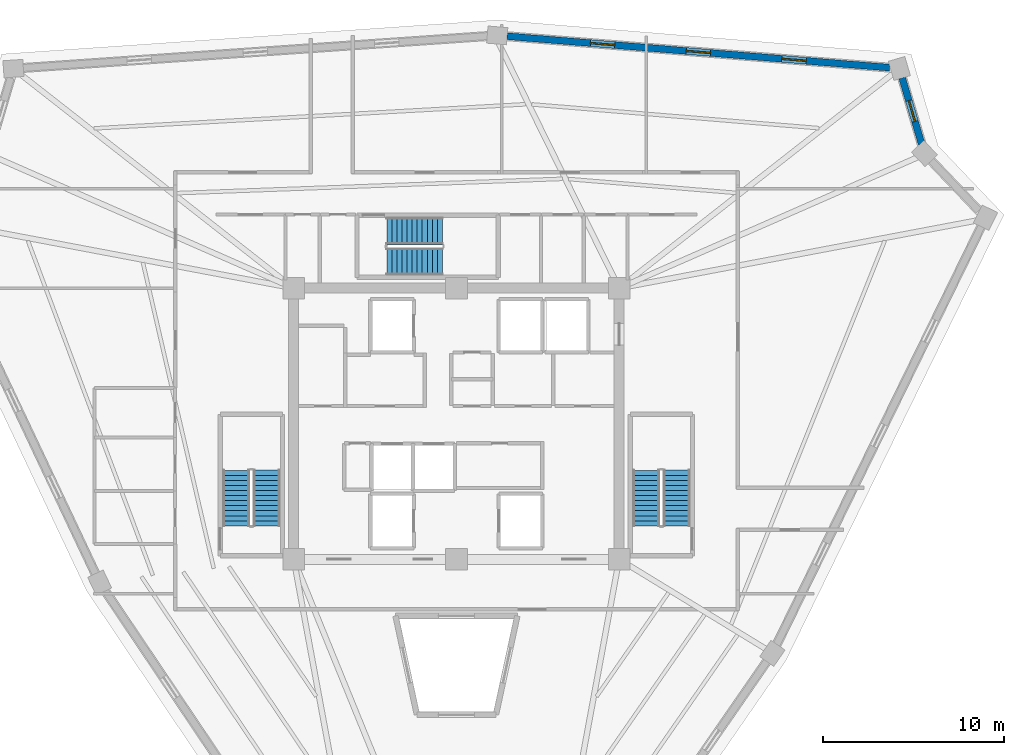
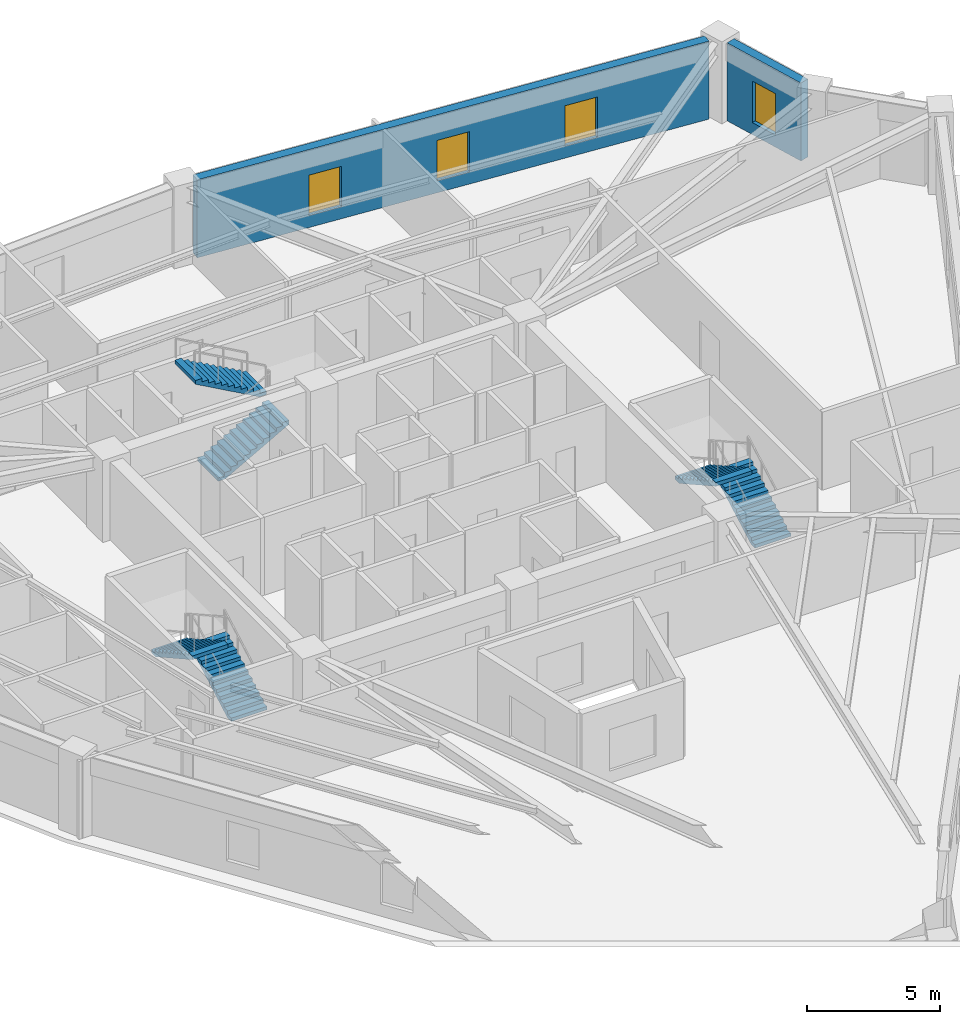
# One storey, part 7 of 8: 6 stair flights, 4 windows, 2 walls, 4 openings, 3 elements without a shape of their own.
"""IFC4 building model written with IfcOpenShell, lengths in metres."""

from ifc_helpers import new_model, si_unit, direction, frame, frame_2d, origin, place, context, subcontext, project, spatial, polyline, rectangle, outline, extrude, source, transform, mapped, material, layer, layer_set, type_object, element, fill, aggregate, save


model = new_model("IFC4")

# Units and contexts
model_context = context("Model", 3, precision=1e-05, world=origin(), true_north=direction((0.0, 1.0)))
body_context = subcontext(model_context, "Body", "Model", "MODEL_VIEW")
ifc_project = project(units=[si_unit("LENGTHUNIT", "METRE"), si_unit("AREAUNIT", "SQUARE_METRE"), si_unit("VOLUMEUNIT", "CUBIC_METRE"), si_unit("PLANEANGLEUNIT", "RADIAN"), si_unit("MASSUNIT", "GRAM", prefix="KILO")], contexts=[model_context])

# Site, building, storey
site_placement = place(None, origin())
site = spatial("IfcSite", under=ifc_project, at=site_placement, CompositionType="ELEMENT")
building_placement = place(site_placement, origin())
building = spatial("IfcBuilding", under=site, at=building_placement, Name="Liaohun Quay Tower", CompositionType="ELEMENT")
storey_placement = place(building_placement, frame((0.0, 0.0, 336.0)))
storey = spatial("IfcBuildingStorey", under=building, at=storey_placement, Name="L87", CompositionType="ELEMENT", Elevation=336.0)

# Wall, opening, window
ifc_material_1 = material(Name="Precast concrete C50 insulated sandwich", Category="concrete")
ifc_layer = layer(ifc_material_1, 0.3798828125, Name="Precast concrete C50 insulated sandwich", Category="concrete")
ifc_layer_set = layer_set([ifc_layer], Name="Precast concrete C50 insulated sandwich")
wall_type = type_object("IfcWallType", Name="WAL-EXT-Z34", PredefinedType="SOLIDWALL", material=ifc_layer_set)
wall_1_placement = place(storey_placement, frame((85.738037109375, 69.466064453125, 0.0), z_axis=(0.0, 0.0, 1.0), x_axis=(-0.282732695887, 0.959198739926, 0.0)))
wall_1 = element("IfcWall", 1, at=wall_1_placement, inside=storey, type_object=wall_type, Name="L87 Brutalist Precast Pier Wall 05", PredefinedType="SOLIDWALL", context=body_context, shape_type="SweptSolid", body=[
    extrude(rectangle(XDim=3.8271484375, YDim=0.3798828125, at=frame_2d((1.91357421875, 0.0))), origin(), (0.0, 0.0, 1.0), 3.570068359375),
])
shared_shape_1 = source(origin(), body_context, "Body", "SweptSolid", [
    extrude(rectangle(XDim=1.199951171875, YDim=1.89990234375, at=frame_2d((0.60009765625, 0.949951171875))), frame((0.0, 0.199951171875, 0.0), z_axis=(0.0, -1.0, 0.0), x_axis=(1.0, 0.0, 0.0)), (0.0, 0.0, 1.0), 0.39990234375),
])
opening_1_placement = place(wall_1_placement, frame((1.31396484375, 0.0, 0.550048828125)))
opening_1 = element("IfcOpeningElement", 2, at=opening_1_placement, cuts=wall_1, Name="Opening W05", PredefinedType="OPENING", context=body_context, shape_type="MappedRepresentation", body=[
    mapped(shared_shape_1, transform((0.0, 0.0, 0.0), x_axis=(1.0, 0.0, 0.0), y_axis=(0.0, 1.0, 0.0), z_axis=(0.0, 0.0, 1.0), scale=1.0)),
])
ifc_material_2 = material(Name="Triple Low-E corner notch glazing", Category="glass")
window_type_1 = type_object("IfcWindowType", Name="WIN-NOTCH", PartitioningType="SINGLE_PANEL", PredefinedType="WINDOW", material=ifc_material_2)
shared_shape_2 = source(origin(), body_context, "Body", "SweptSolid", [
    extrude(rectangle(XDim=1.199951171875, YDim=1.89990234375, at=frame_2d((0.60009765625, 0.949951171875))), frame((0.0, 0.030029296875, 0.0), z_axis=(0.0, -1.0, 0.0), x_axis=(1.0, 0.0, 0.0)), (0.0, 0.0, 1.0), 0.06005859375),
])
window_1_placement = place(opening_1_placement, origin())
window_1 = element("IfcWindow", 3, at=window_1_placement, inside=storey, type_object=window_type_1, Name="L87 Corner Notch Window W05-05", OverallHeight=1.89990234375, OverallWidth=1.199951171875, PartitioningType="SINGLE_PANEL", PredefinedType="WINDOW", context=body_context, shape_type="MappedRepresentation", body=[
    mapped(shared_shape_2, transform((0.0, 0.0, 0.0), x_axis=(1.0, 0.0, 0.0), y_axis=(0.0, 1.0, 0.0), z_axis=(0.0, 0.0, 1.0), scale=1.0)),
])
fill(opening_1, window_1)

# Wall, openings, windows
wall_2_placement = place(storey_placement, frame((83.965087890625, 73.698974609375, 0.0), z_axis=(0.0, 0.0, 1.0), x_axis=(-0.996631543612, 0.082009549916, 0.0)))
wall_2 = element("IfcWall", 4, at=wall_2_placement, inside=storey, type_object=wall_type, Name="L87 Brutalist Precast Pier Wall 06", PredefinedType="SOLIDWALL", context=body_context, shape_type="SweptSolid", body=[
    extrude(rectangle(XDim=21.24072265625, YDim=0.3798828125, at=frame_2d((10.620361328125, 0.0))), origin(), (0.0, 0.0, 1.0), 3.570068359375),
])
shared_shape_3 = source(origin(), body_context, "Body", "SweptSolid", [
    extrude(rectangle(XDim=1.35009765625, YDim=1.85009765625, at=frame_2d((0.675048828125, 0.925048828125))), frame((0.0, 0.199951171875, 0.0), z_axis=(0.0, -1.0, 0.0), x_axis=(1.0, 0.0, 0.0)), (0.0, 0.0, 1.0), 0.39990234375),
])
opening_2_placement = place(wall_2_placement, frame((4.635009765625, 0.0, 0.550048828125)))
opening_2 = element("IfcOpeningElement", 5, at=opening_2_placement, cuts=wall_2, Name="Opening W04", PredefinedType="OPENING", context=body_context, shape_type="MappedRepresentation", body=[
    mapped(shared_shape_3, transform((0.0, 0.0, 0.0), x_axis=(1.0, 0.0, 0.0), y_axis=(0.0, 1.0, 0.0), z_axis=(0.0, 0.0, 1.0), scale=1.0)),
])
opening_3_placement = place(wall_2_placement, frame((9.945068359375, 0.0, 0.550048828125)))
opening_3 = element("IfcOpeningElement", 6, at=opening_3_placement, cuts=wall_2, Name="Opening W04", PredefinedType="OPENING", context=body_context, shape_type="MappedRepresentation", body=[
    mapped(shared_shape_3, transform((0.0, 0.0, 0.0), x_axis=(1.0, 0.0, 0.0), y_axis=(0.0, 1.0, 0.0), z_axis=(0.0, 0.0, 1.0), scale=1.0)),
])
opening_4_placement = place(wall_2_placement, frame((15.2548828125, 0.0, 0.550048828125)))
opening_4 = element("IfcOpeningElement", 7, at=opening_4_placement, cuts=wall_2, Name="Opening W04", PredefinedType="OPENING", context=body_context, shape_type="MappedRepresentation", body=[
    mapped(shared_shape_3, transform((0.0, 0.0, 0.0), x_axis=(1.0, 0.0, 0.0), y_axis=(0.0, 1.0, 0.0), z_axis=(0.0, 0.0, 1.0), scale=1.0)),
])
ifc_material_3 = material(Name="Triple Low-E argon glazing in thermally broken aluminium", Category="aluminium")
window_type_2 = type_object("IfcWindowType", Name="WIN-PUN-Z4", PartitioningType="SINGLE_PANEL", PredefinedType="WINDOW", material=ifc_material_3)
shared_shape_4 = source(origin(), body_context, "Body", "SweptSolid", [
    extrude(rectangle(XDim=1.35009765625, YDim=1.85009765625, at=frame_2d((0.675048828125, 0.925048828125))), frame((0.0, 0.030029296875, 0.0), z_axis=(0.0, -1.0, 0.0), x_axis=(1.0, 0.0, 0.0)), (0.0, 0.0, 1.0), 0.06005859375),
])
window_2_placement = place(opening_2_placement, origin())
window_2 = element("IfcWindow", 8, at=window_2_placement, inside=storey, type_object=window_type_2, Name="L87 Recessed Cold-Climate Punched Window 06-1", OverallHeight=1.85009765625, OverallWidth=1.35009765625, PartitioningType="SINGLE_PANEL", PredefinedType="WINDOW", context=body_context, shape_type="MappedRepresentation", body=[
    mapped(shared_shape_4, transform((0.0, 0.0, 0.0), x_axis=(1.0, 0.0, 0.0), y_axis=(0.0, 1.0, 0.0), z_axis=(0.0, 0.0, 1.0), scale=1.0)),
])
fill(opening_2, window_2)
window_3_placement = place(opening_3_placement, origin())
window_3 = element("IfcWindow", 9, at=window_3_placement, inside=storey, type_object=window_type_2, Name="L87 Recessed Cold-Climate Punched Window 06-2", OverallHeight=1.85009765625, OverallWidth=1.35009765625, PartitioningType="SINGLE_PANEL", PredefinedType="WINDOW", context=body_context, shape_type="MappedRepresentation", body=[
    mapped(shared_shape_4, transform((0.0, 0.0, 0.0), x_axis=(1.0, 0.0, 0.0), y_axis=(0.0, 1.0, 0.0), z_axis=(0.0, 0.0, 1.0), scale=1.0)),
])
fill(opening_3, window_3)
window_4_placement = place(opening_4_placement, origin())
window_4 = element("IfcWindow", 10, at=window_4_placement, inside=storey, type_object=window_type_2, Name="L87 Recessed Cold-Climate Punched Window 06-3", OverallHeight=1.85009765625, OverallWidth=1.35009765625, PartitioningType="SINGLE_PANEL", PredefinedType="WINDOW", context=body_context, shape_type="MappedRepresentation", body=[
    mapped(shared_shape_4, transform((0.0, 0.0, 0.0), x_axis=(1.0, 0.0, 0.0), y_axis=(0.0, 1.0, 0.0), z_axis=(0.0, 0.0, 1.0), scale=1.0)),
])
fill(opening_4, window_4)

# Stair, stair flights
ifc_material_4 = material(Name="Concrete C45", Category="concrete")
stair_type = type_object("IfcStairType", Name="STR-CORE-OFF", PredefinedType="HALF_TURN_STAIR", material=ifc_material_4)
stair_1_placement = place(storey_placement, origin())
stair_1 = element("IfcStair", 11, at=stair_1_placement, inside=storey, type_object=stair_type, Name="L87 Smokeproof Core Exit Stair ST-1", PredefinedType="HALF_TURN_STAIR")
stair_flight_type = type_object("IfcStairFlightType", Name="FLT-CORE-155", PredefinedType="STRAIGHT", material=ifc_material_4)
stair_flight_1_placement = place(storey_placement, frame((49.5048828125, 48.35009765625, 0.0), z_axis=(0.0, 0.0, 1.0), x_axis=(0.0, 1.0, 0.0)))
stair_flight_1 = element("IfcStairFlight", 12, at=stair_flight_1_placement, type_object=stair_flight_type, Name="ST-1 flight 1", NumberOfRisers=12, NumberOfTreads=11, PredefinedType="STRAIGHT", RiserHeight=0.15625, TreadLength=0.28, context=body_context, shape_type="SweptSolid", body=[
    extrude(outline(polyline([(0.0, 0.0), (0.0, 0.15625), (0.280029296875, 0.15625), (0.280029296875, 0.3125), (0.56005859375, 0.3125), (0.56005859375, 0.46875), (0.840087890625, 0.46875), (0.840087890625, 0.625), (1.1201171875, 0.625), (1.1201171875, 0.78125), (1.39990234375, 0.78125), (1.39990234375, 0.9375), (1.679931640625, 0.9375), (1.679931640625, 1.09375), (1.9599609375, 1.09375), (1.9599609375, 1.25), (2.239990234375, 1.25), (2.239990234375, 1.40625), (2.52001953125, 1.40625), (2.52001953125, 1.5625), (2.800048828125, 1.5625), (2.800048828125, 1.71875), (3.080078125, 1.71875), (3.080078125, 1.875), (3.080078125, 1.547119140625), (0.3076171875, 0.0), (0.0, 0.0)])), frame((0.0, 0.77490234375, 0.0), z_axis=(0.0, -1.0, 0.0), x_axis=(1.0, 0.0, 0.0)), (0.0, 0.0, 1.0), 1.550048828125),
])
stair_flight_2_placement = place(storey_placement, frame((47.81494140625, 51.429931640625, 1.875), z_axis=(0.0, 0.0, 1.0), x_axis=(0.0, -1.0, 0.0)))
stair_flight_2 = element("IfcStairFlight", 13, at=stair_flight_2_placement, type_object=stair_flight_type, Name="ST-1 flight 2", NumberOfRisers=12, NumberOfTreads=11, PredefinedType="STRAIGHT", RiserHeight=0.15625, TreadLength=0.28, context=body_context, shape_type="SweptSolid", body=[
    extrude(outline(polyline([(0.0, 0.0), (0.0, 0.15625), (0.280029296875, 0.15625), (0.280029296875, 0.3125), (0.56005859375, 0.3125), (0.56005859375, 0.46875), (0.840087890625, 0.46875), (0.840087890625, 0.625), (1.1201171875, 0.625), (1.1201171875, 0.78125), (1.39990234375, 0.78125), (1.39990234375, 0.9375), (1.679931640625, 0.9375), (1.679931640625, 1.09375), (1.9599609375, 1.09375), (1.9599609375, 1.25), (2.239990234375, 1.25), (2.239990234375, 1.40625), (2.52001953125, 1.40625), (2.52001953125, 1.5625), (2.800048828125, 1.5625), (2.800048828125, 1.71875), (3.080078125, 1.71875), (3.080078125, 1.875), (3.080078125, 1.547119140625), (0.3076171875, 0.0), (0.0, 0.0)])), frame((0.0, 0.77490234375, 0.0), z_axis=(0.0, -1.0, 0.0), x_axis=(1.0, 0.0, 0.0)), (0.0, 0.0, 1.0), 1.550048828125),
])
aggregate(stair_1, [stair_flight_1, stair_flight_2])

stair_2_placement = place(storey_placement, origin())
stair_2 = element("IfcStair", 14, at=stair_2_placement, inside=storey, type_object=stair_type, Name="L87 Smokeproof Core Exit Stair ST-2", PredefinedType="HALF_TURN_STAIR")
stair_flight_3_placement = place(storey_placement, frame((72.18505859375, 48.35009765625, 0.0), z_axis=(0.0, 0.0, 1.0), x_axis=(0.0, 1.0, 0.0)))
stair_flight_3 = element("IfcStairFlight", 15, at=stair_flight_3_placement, type_object=stair_flight_type, Name="ST-2 flight 1", NumberOfRisers=12, NumberOfTreads=11, PredefinedType="STRAIGHT", RiserHeight=0.15625, TreadLength=0.28, context=body_context, shape_type="SweptSolid", body=[
    extrude(outline(polyline([(0.0, 0.0), (0.0, 0.15625), (0.280029296875, 0.15625), (0.280029296875, 0.3125), (0.56005859375, 0.3125), (0.56005859375, 0.46875), (0.840087890625, 0.46875), (0.840087890625, 0.625), (1.1201171875, 0.625), (1.1201171875, 0.78125), (1.39990234375, 0.78125), (1.39990234375, 0.9375), (1.679931640625, 0.9375), (1.679931640625, 1.09375), (1.9599609375, 1.09375), (1.9599609375, 1.25), (2.239990234375, 1.25), (2.239990234375, 1.40625), (2.52001953125, 1.40625), (2.52001953125, 1.5625), (2.800048828125, 1.5625), (2.800048828125, 1.71875), (3.080078125, 1.71875), (3.080078125, 1.875), (3.080078125, 1.547119140625), (0.3076171875, 0.0), (0.0, 0.0)])), frame((0.0, 0.77490234375, 0.0), z_axis=(0.0, -1.0, 0.0), x_axis=(1.0, 0.0, 0.0)), (0.0, 0.0, 1.0), 1.550048828125),
])
stair_flight_4_placement = place(storey_placement, frame((70.4951171875, 51.429931640625, 1.875), z_axis=(0.0, 0.0, 1.0), x_axis=(0.0, -1.0, 0.0)))
stair_flight_4 = element("IfcStairFlight", 16, at=stair_flight_4_placement, type_object=stair_flight_type, Name="ST-2 flight 2", NumberOfRisers=12, NumberOfTreads=11, PredefinedType="STRAIGHT", RiserHeight=0.15625, TreadLength=0.28, context=body_context, shape_type="SweptSolid", body=[
    extrude(outline(polyline([(0.0, 0.0), (0.0, 0.15625), (0.280029296875, 0.15625), (0.280029296875, 0.3125), (0.56005859375, 0.3125), (0.56005859375, 0.46875), (0.840087890625, 0.46875), (0.840087890625, 0.625), (1.1201171875, 0.625), (1.1201171875, 0.78125), (1.39990234375, 0.78125), (1.39990234375, 0.9375), (1.679931640625, 0.9375), (1.679931640625, 1.09375), (1.9599609375, 1.09375), (1.9599609375, 1.25), (2.239990234375, 1.25), (2.239990234375, 1.40625), (2.52001953125, 1.40625), (2.52001953125, 1.5625), (2.800048828125, 1.5625), (2.800048828125, 1.71875), (3.080078125, 1.71875), (3.080078125, 1.875), (3.080078125, 1.547119140625), (0.3076171875, 0.0), (0.0, 0.0)])), frame((0.0, 0.77490234375, 0.0), z_axis=(0.0, -1.0, 0.0), x_axis=(1.0, 0.0, 0.0)), (0.0, 0.0, 1.0), 1.550048828125),
])
aggregate(stair_2, [stair_flight_3, stair_flight_4])

stair_3_placement = place(storey_placement, origin())
stair_3 = element("IfcStair", 17, at=stair_3_placement, inside=storey, type_object=stair_type, Name="L87 Smokeproof Core Exit Stair ST-3", PredefinedType="HALF_TURN_STAIR")
stair_flight_5_placement = place(storey_placement, frame((56.14990234375, 62.97509765625, 0.0), z_axis=(0.0, 0.0, 1.0), x_axis=(1.0, 0.0, 0.0)))
stair_flight_5 = element("IfcStairFlight", 18, at=stair_flight_5_placement, type_object=stair_flight_type, Name="ST-3 flight 1", NumberOfRisers=12, NumberOfTreads=11, PredefinedType="STRAIGHT", RiserHeight=0.15625, TreadLength=0.28, context=body_context, shape_type="SweptSolid", body=[
    extrude(outline(polyline([(0.0, 0.0), (0.0, 0.15625), (0.280029296875, 0.15625), (0.280029296875, 0.3125), (0.56005859375, 0.3125), (0.56005859375, 0.46875), (0.840087890625, 0.46875), (0.840087890625, 0.625), (1.1201171875, 0.625), (1.1201171875, 0.78125), (1.39990234375, 0.78125), (1.39990234375, 0.9375), (1.679931640625, 0.9375), (1.679931640625, 1.09375), (1.9599609375, 1.09375), (1.9599609375, 1.25), (2.239990234375, 1.25), (2.239990234375, 1.40625), (2.52001953125, 1.40625), (2.52001953125, 1.5625), (2.800048828125, 1.5625), (2.800048828125, 1.71875), (3.080078125, 1.71875), (3.080078125, 1.875), (3.080078125, 1.547119140625), (0.3076171875, 0.0), (0.0, 0.0)])), frame((0.0, 0.77490234375, 0.0), z_axis=(0.0, -1.0, 0.0), x_axis=(1.0, 0.0, 0.0)), (0.0, 0.0, 1.0), 1.550048828125),
])
stair_flight_6_placement = place(storey_placement, frame((59.22998046875, 64.6650390625, 1.875), z_axis=(0.0, 0.0, 1.0), x_axis=(-1.0, 0.0, 0.0)))
stair_flight_6 = element("IfcStairFlight", 19, at=stair_flight_6_placement, type_object=stair_flight_type, Name="ST-3 flight 2", NumberOfRisers=12, NumberOfTreads=11, PredefinedType="STRAIGHT", RiserHeight=0.15625, TreadLength=0.28, context=body_context, shape_type="SweptSolid", body=[
    extrude(outline(polyline([(0.0, 0.0), (0.0, 0.15625), (0.280029296875, 0.15625), (0.280029296875, 0.3125), (0.56005859375, 0.3125), (0.56005859375, 0.46875), (0.840087890625, 0.46875), (0.840087890625, 0.625), (1.1201171875, 0.625), (1.1201171875, 0.78125), (1.39990234375, 0.78125), (1.39990234375, 0.9375), (1.679931640625, 0.9375), (1.679931640625, 1.09375), (1.9599609375, 1.09375), (1.9599609375, 1.25), (2.239990234375, 1.25), (2.239990234375, 1.40625), (2.52001953125, 1.40625), (2.52001953125, 1.5625), (2.800048828125, 1.5625), (2.800048828125, 1.71875), (3.080078125, 1.71875), (3.080078125, 1.875), (3.080078125, 1.547119140625), (0.3076171875, 0.0), (0.0, 0.0)])), frame((0.0, 0.77490234375, 0.0), z_axis=(0.0, -1.0, 0.0), x_axis=(1.0, 0.0, 0.0)), (0.0, 0.0, 1.0), 1.550048828125),
])
aggregate(stair_3, [stair_flight_5, stair_flight_6])

save(model, "model.ifc")
